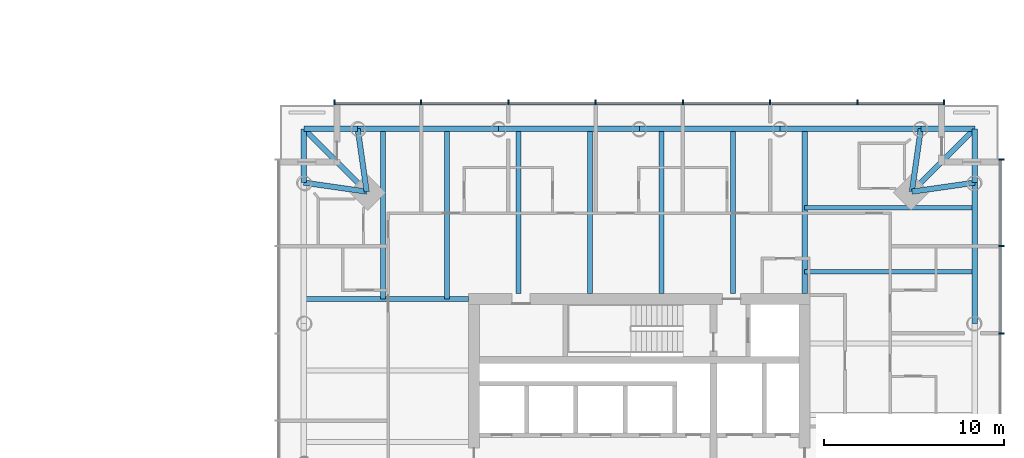
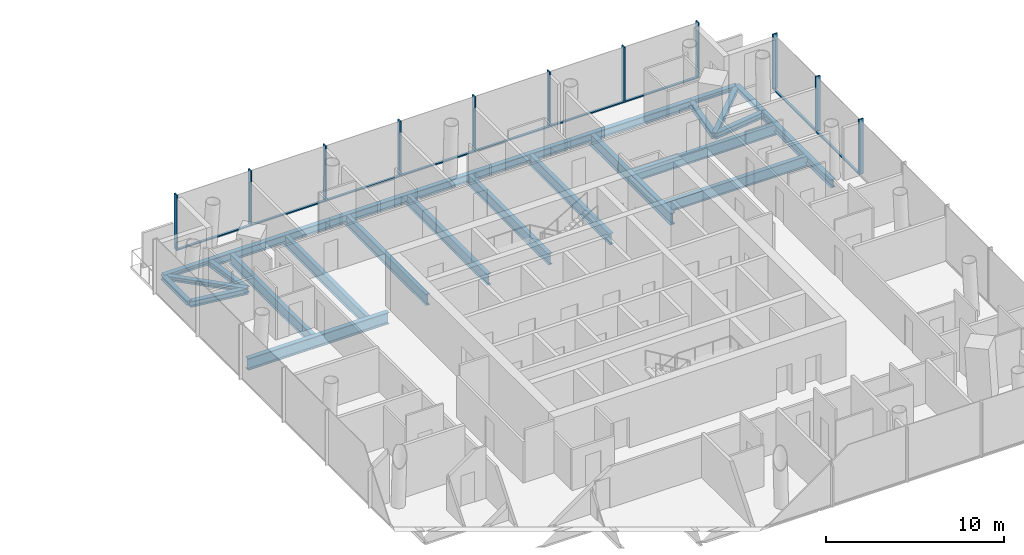
# One storey, part 6 of 20: 25 beams, 20 members, 2 elements without a shape of their own.
"""IFC4 building model written with IfcOpenShell, lengths in metres."""

from ifc_helpers import new_model, si_unit, direction, frame, origin, origin_2d, place, context, subcontext, project, spatial, rectangle, i_section, extrude, material, material_profile, profile_set, type_object, element, aggregate, save


model = new_model("IFC4")

# Units and contexts
model_context = context("Model", 3, precision=1e-05, world=origin(), true_north=direction((0.0, 1.0)))
body_context = subcontext(model_context, "Body", "Model", "MODEL_VIEW")
ifc_project = project(units=[si_unit("LENGTHUNIT", "METRE"), si_unit("AREAUNIT", "SQUARE_METRE"), si_unit("VOLUMEUNIT", "CUBIC_METRE"), si_unit("PLANEANGLEUNIT", "RADIAN"), si_unit("MASSUNIT", "GRAM", prefix="KILO")], contexts=[model_context])

# Site, building, storey
site_placement = place(None, origin())
site = spatial("IfcSite", under=ifc_project, at=site_placement, CompositionType="ELEMENT")
building_placement = place(site_placement, origin())
building = spatial("IfcBuilding", under=site, at=building_placement, Name="Ostroluk Exchange", CompositionType="ELEMENT")
storey_placement = place(building_placement, frame((0.0, 0.0, 28.60009765625)))
storey = spatial("IfcBuildingStorey", under=building, at=storey_placement, Name="L06", CompositionType="ELEMENT", Elevation=28.60009765625)

# Beams
ifc_material_1 = material(Name="Steel S355", Category="steel")
ifc_material_profile_1 = material_profile(ifc_material_1, i_section(OverallWidth=0.300048828125, OverallDepth=0.300048828125, WebThickness=0.010986328125, FlangeThickness=0.01904296875, FilletRadius=0.027099609375, at=origin_2d()), Name="HEB 300")
ifc_profile_set_1 = profile_set([ifc_material_profile_1], Name="Steel S355")
beam_type_1 = type_object("IfcBeamType", Name="Balcony beam HEB 300", PredefinedType="BEAM", material=ifc_profile_set_1)
for number, where, z_axis, x_axis, name in (
    (1, (135.67236328125, 61.67236328125, -0.35009765625), (0.0, 1.0, 0.0), (-1.0, 0.0, 0.0), "T2 east balcony beam a"),
    (2, (132.67236328125, 64.67236328125, -0.35009765625), (1.0, 0.0, 0.0), (0.0, 1.0, 0.0), "T2 east balcony beam b"),
):
    element("IfcBeam", number, at=place(storey_placement, frame(where, z_axis=z_axis, x_axis=x_axis)), inside=storey, type_object=beam_type_1, Name=name, PredefinedType="BEAM", context=body_context, shape_type="SweptSolid", body=[
        extrude(i_section(OverallWidth=0.300048828125, OverallDepth=0.300048828125, WebThickness=0.010986328125, FlangeThickness=0.01904296875, FilletRadius=0.027099609375, at=origin_2d()), origin(), (0.0, 0.0, 1.0), 3.0),
    ])
beam_1_placement = place(storey_placement, frame((132.17236328125, 61.17236328125, -0.35009765625), z_axis=(0.707106781187, 0.707106781187, 0.0), x_axis=(-0.707106781187, 0.707106781187, 0.0)))
element("IfcBeam", 3, at=beam_1_placement, inside=storey, type_object=beam_type_1, Name="T2 east balcony beam c", PredefinedType="BEAM", context=body_context, shape_type="SweptSolid", body=[
    extrude(i_section(OverallWidth=0.300048828125, OverallDepth=0.300048828125, WebThickness=0.010986328125, FlangeThickness=0.01904296875, FilletRadius=0.027099609375, at=origin_2d()), origin(), (0.0, 0.0, 1.0), 4.94970703125),
])
for number, where, z_axis, x_axis, name in (
    (4, (101.32763671875, 64.67236328125, -0.35009765625), (-1.0, 0.0, 0.0), (0.0, -1.0, 0.0), "T2 north balcony beam a"),
    (5, (98.32763671875, 61.67236328125, -0.35009765625), (0.0, 1.0, 0.0), (-1.0, 0.0, 0.0), "T2 north balcony beam b"),
):
    element("IfcBeam", number, at=place(storey_placement, frame(where, z_axis=z_axis, x_axis=x_axis)), inside=storey, type_object=beam_type_1, Name=name, PredefinedType="BEAM", context=body_context, shape_type="SweptSolid", body=[
        extrude(i_section(OverallWidth=0.300048828125, OverallDepth=0.300048828125, WebThickness=0.010986328125, FlangeThickness=0.01904296875, FilletRadius=0.027099609375, at=origin_2d()), origin(), (0.0, 0.0, 1.0), 3.0),
    ])
beam_2_placement = place(storey_placement, frame((101.82763671875, 61.17236328125, -0.35009765625), z_axis=(-0.707106781187, 0.707106781187, 0.0), x_axis=(-0.707106781187, -0.707106781187, 0.0)))
element("IfcBeam", 6, at=beam_2_placement, inside=storey, type_object=beam_type_1, Name="T2 north balcony beam c", PredefinedType="BEAM", context=body_context, shape_type="SweptSolid", body=[
    extrude(i_section(OverallWidth=0.300048828125, OverallDepth=0.300048828125, WebThickness=0.010986328125, FlangeThickness=0.01904296875, FilletRadius=0.027099609375, at=origin_2d()), origin(), (0.0, 0.0, 1.0), 4.94970703125),
])
ifc_material_2 = material(Name="Steel S355", Category="steel")
ifc_material_profile_2 = material_profile(ifc_material_2, i_section(OverallWidth=0.300048828125, OverallDepth=0.39990234375, WebThickness=0.013427734375, FlangeThickness=0.02392578125, FilletRadius=0.027099609375, at=origin_2d()), Name="HEB 400")
ifc_profile_set_2 = profile_set([ifc_material_profile_2], Name="Steel S355")
beam_type_2 = type_object("IfcBeamType", Name="Corner edge beam HEB 400", PredefinedType="SPANDREL", material=ifc_profile_set_2)
for number, where, z_axis, x_axis, name in (
    (7, (132.17236328125, 61.17236328125, -0.400146484375), (0.989949493661, 0.141421356237, 0.0), (-0.141421356237, 0.989949493661, 0.0), "T2 east corner edge beam a"),
    (8, (132.17236328125, 61.17236328125, -0.400146484375), (0.141421356237, 0.989949493661, 0.0), (-0.989949493661, 0.141421356237, 0.0), "T2 east corner edge beam b"),
    (9, (101.82763671875, 61.17236328125, -0.400146484375), (-0.141421356237, 0.989949493661, 0.0), (-0.989949493661, -0.141421356237, 0.0), "T2 north corner edge beam a"),
    (10, (101.82763671875, 61.17236328125, -0.400146484375), (-0.989949493661, 0.141421356237, 0.0), (-0.141421356237, -0.989949493661, 0.0), "T2 north corner edge beam b"),
):
    element("IfcBeam", number, at=place(storey_placement, frame(where, z_axis=z_axis, x_axis=x_axis)), inside=storey, type_object=beam_type_2, Name=name, PredefinedType="SPANDREL", context=body_context, shape_type="SweptSolid", body=[
        extrude(i_section(OverallWidth=0.300048828125, OverallDepth=0.39990234375, WebThickness=0.013427734375, FlangeThickness=0.02392578125, FilletRadius=0.027099609375, at=origin_2d()), origin(), (0.0, 0.0, 1.0), 3.53564453125),
    ])
ifc_material_3 = material(Name="Steel S355", Category="steel")
ifc_material_profile_3 = material_profile(ifc_material_3, i_section(OverallWidth=0.264892578125, OverallDepth=0.7529296875, WebThickness=0.01318359375, FlangeThickness=0.01708984375, FilletRadius=0.01708984375, at=origin_2d()), Name="IPE 750x147")
ifc_profile_set_3 = profile_set([ifc_material_profile_3], Name="Steel S355")
beam_type_3 = type_object("IfcBeamType", Name="Floor beam IPE 750x147", PredefinedType="BEAM", material=ifc_profile_set_3)
for number, where, z_axis, x_axis, name in (
    (11, (126.199951171875, 56.708984375, -0.57666015625), (1.0, 0.0, 0.0), (0.0, 1.0, 0.0), "T2 east floor beam 5"),
    (12, (126.199951171875, 60.2724609375, -0.57666015625), (1.0, 0.0, 0.0), (0.0, 1.0, 0.0), "T2 east floor beam 6"),
):
    element("IfcBeam", number, at=place(storey_placement, frame(where, z_axis=z_axis, x_axis=x_axis)), inside=storey, type_object=beam_type_3, Name=name, PredefinedType="BEAM", context=body_context, shape_type="SweptSolid", body=[
        extrude(i_section(OverallWidth=0.264892578125, OverallDepth=0.7529296875, WebThickness=0.01318359375, FlangeThickness=0.01708984375, FilletRadius=0.01708984375, at=origin_2d()), origin(), (0.0, 0.0, 1.0), 9.472412109375),
    ])
for number, where, z_axis, x_axis, name in (
    (13, (122.21826171875, 55.5, -0.57666015625), (0.0, 1.0, 0.0), (-1.0, 0.0, 0.0), "T2 north floor beam 1"),
    (14, (118.236572265625, 55.5, -0.57666015625), (0.0, 1.0, 0.0), (-1.0, 0.0, 0.0), "T2 north floor beam 2"),
    (15, (114.254638671875, 55.5, -0.57666015625), (0.0, 1.0, 0.0), (-1.0, 0.0, 0.0), "T2 north floor beam 3"),
    (16, (110.27294921875, 55.5, -0.57666015625), (0.0, 1.0, 0.0), (-1.0, 0.0, 0.0), "T2 north floor beam 4"),
):
    element("IfcBeam", number, at=place(storey_placement, frame(where, z_axis=z_axis, x_axis=x_axis)), inside=storey, type_object=beam_type_3, Name=name, PredefinedType="BEAM", context=body_context, shape_type="SweptSolid", body=[
        extrude(i_section(OverallWidth=0.264892578125, OverallDepth=0.7529296875, WebThickness=0.01318359375, FlangeThickness=0.01708984375, FilletRadius=0.01708984375, at=origin_2d()), origin(), (0.0, 0.0, 1.0), 9.17236328125),
    ])
for number, where, z_axis, x_axis, name in (
    (17, (106.291015625, 55.199951171875, -0.57666015625), (0.0, 1.0, 0.0), (-1.0, 0.0, 0.0), "T2 north floor beam 5"),
    (18, (102.7275390625, 55.199951171875, -0.57666015625), (0.0, 1.0, 0.0), (-1.0, 0.0, 0.0), "T2 north floor beam 6"),
):
    element("IfcBeam", number, at=place(storey_placement, frame(where, z_axis=z_axis, x_axis=x_axis)), inside=storey, type_object=beam_type_3, Name=name, PredefinedType="BEAM", context=body_context, shape_type="SweptSolid", body=[
        extrude(i_section(OverallWidth=0.264892578125, OverallDepth=0.7529296875, WebThickness=0.01318359375, FlangeThickness=0.01708984375, FilletRadius=0.01708984375, at=origin_2d()), origin(), (0.0, 0.0, 1.0), 9.472412109375),
    ])
ifc_material_4 = material(Name="Steel S355", Category="steel")
ifc_material_profile_4 = material_profile(ifc_material_4, i_section(OverallWidth=0.300048828125, OverallDepth=0.800048828125, WebThickness=0.017578125, FlangeThickness=0.032958984375, FilletRadius=0.030029296875, at=origin_2d()), Name="HEB 800")
ifc_profile_set_4 = profile_set([ifc_material_profile_4], Name="Steel S355")
beam_type_4 = type_object("IfcBeamType", Name="Girder HEB 800", PredefinedType="BEAM", material=ifc_profile_set_4)
for number, where, z_axis, x_axis, name in (
    (19, (126.199951171875, 55.5, -0.60009765625), (0.0, 1.0, 0.0), (-1.0, 0.0, 0.0), "T2 east girder"),
    (20, (107.5, 55.199951171875, -0.60009765625), (-1.0, 0.0, 0.0), (0.0, -1.0, 0.0), "T2 north girder"),
):
    element("IfcBeam", number, at=place(storey_placement, frame(where, z_axis=z_axis, x_axis=x_axis)), inside=storey, type_object=beam_type_4, Name=name, PredefinedType="BEAM", context=body_context, shape_type="SweptSolid", body=[
        extrude(i_section(OverallWidth=0.300048828125, OverallDepth=0.800048828125, WebThickness=0.017578125, FlangeThickness=0.032958984375, FilletRadius=0.030029296875, at=origin_2d()), origin(), (0.0, 0.0, 1.0), 9.17236328125),
    ])
ifc_material_5 = material(Name="Steel S355", Category="steel")
ifc_material_profile_5 = material_profile(ifc_material_5, i_section(OverallWidth=0.300048828125, OverallDepth=0.550048828125, WebThickness=0.014892578125, FlangeThickness=0.029052734375, FilletRadius=0.027099609375, at=origin_2d()), Name="HEB 550")
ifc_profile_set_5 = profile_set([ifc_material_profile_5], Name="Steel S355")
beam_type_5 = type_object("IfcBeamType", Name="Moment-connected edge beam HEB 550", PredefinedType="SPANDREL", material=ifc_profile_set_5)
for number, where, z_axis, x_axis, name in (
    (21, (135.67236328125, 53.836181640625, -0.47509765625), (0.0, 1.0, 0.0), (-1.0, 0.0, 0.0), "T2 east edge beam 4"),
    (22, (132.67236328125, 64.67236328125, -0.47509765625), (-1.0, 0.0, 0.0), (0.0, -1.0, 0.0), "T2 north edge beam 1"),
    (23, (124.836181640625, 64.67236328125, -0.47509765625), (-1.0, 0.0, 0.0), (0.0, -1.0, 0.0), "T2 north edge beam 2"),
    (24, (117.0, 64.67236328125, -0.47509765625), (-1.0, 0.0, 0.0), (0.0, -1.0, 0.0), "T2 north edge beam 3"),
    (25, (109.163818359375, 64.67236328125, -0.47509765625), (-1.0, 0.0, 0.0), (0.0, -1.0, 0.0), "T2 north edge beam 4"),
):
    element("IfcBeam", number, at=place(storey_placement, frame(where, z_axis=z_axis, x_axis=x_axis)), inside=storey, type_object=beam_type_5, Name=name, PredefinedType="SPANDREL", context=body_context, shape_type="SweptSolid", body=[
        extrude(i_section(OverallWidth=0.300048828125, OverallDepth=0.550048828125, WebThickness=0.014892578125, FlangeThickness=0.029052734375, FilletRadius=0.027099609375, at=origin_2d()), origin(), (0.0, 0.0, 1.0), 7.836181640625),
    ])

# Curtain wall, members
ifc_material_6 = material(Name="Laminated clear glass", Category="glass")
curtain_wall_type = type_object("IfcCurtainWallType", Name="Hotel guest floor facade", PredefinedType="USERDEFINED", material=ifc_material_6)
curtain_wall_1_placement = place(storey_placement, origin())
curtain_wall_1 = element("IfcCurtainWall", 26, at=curtain_wall_1_placement, inside=storey, type_object=curtain_wall_type, Name="Hotel tower east facade L06", ObjectType="UNITISED CURTAIN WALL", PredefinedType="USERDEFINED")
ifc_material_7 = material(Name="Aluminium mullion", Category="aluminium")
ifc_material_profile_6 = material_profile(ifc_material_7, rectangle(XDim=0.14990234375, YDim=0.080078125, at=origin_2d()), Name="Sill transom 80 x 150")
ifc_profile_set_6 = profile_set([ifc_material_profile_6], Name="Aluminium mullion")
member_type_1 = type_object("IfcMemberType", Name="Sill transom 80 x 150", PredefinedType="USERDEFINED", material=ifc_profile_set_6)
member_1_placement = place(storey_placement, frame((137.074951171875, 53.32568359375, 0.039794921875), z_axis=(0.0, 1.0, 0.0), x_axis=(-1.0, 0.0, 0.0)))
member_1 = element("IfcMember", 27, at=member_1_placement, type_object=member_type_1, Name="CW-H1 transom 6.1", ObjectType="TRANSOM", PredefinedType="USERDEFINED", context=body_context, shape_type="SweptSolid", body=[
    extrude(rectangle(XDim=0.14990234375, YDim=0.080078125, at=origin_2d()), origin(), (0.0, 0.0, 1.0), 4.777099609375),
])
member_2_placement = place(storey_placement, frame((137.074951171875, 58.182861328125, 0.039794921875), z_axis=(0.0, 1.0, 0.0), x_axis=(-1.0, 0.0, 0.0)))
member_2 = element("IfcMember", 28, at=member_2_placement, type_object=member_type_1, Name="CW-H1 transom 7.1", ObjectType="TRANSOM", PredefinedType="USERDEFINED", context=body_context, shape_type="SweptSolid", body=[
    extrude(rectangle(XDim=0.14990234375, YDim=0.080078125, at=origin_2d()), origin(), (0.0, 0.0, 1.0), 4.737060546875),
])

curtain_wall_2_placement = place(storey_placement, origin())
curtain_wall_2 = element("IfcCurtainWall", 29, at=curtain_wall_2_placement, inside=storey, type_object=curtain_wall_type, Name="Hotel tower north facade L06", ObjectType="UNITISED CURTAIN WALL", PredefinedType="USERDEFINED")
member_3_placement = place(storey_placement, frame((133.919921875, 66.074951171875, 0.039794921875), z_axis=(-1.0, 0.0, 0.0), x_axis=(0.0, -1.0, 0.0)))
member_3 = element("IfcMember", 30, at=member_3_placement, type_object=member_type_1, Name="CW-H1 transom 1.1", ObjectType="TRANSOM", PredefinedType="USERDEFINED", context=body_context, shape_type="SweptSolid", body=[
    extrude(rectangle(XDim=0.14990234375, YDim=0.080078125, at=origin_2d()), origin(), (0.0, 0.0, 1.0), 4.737060546875),
])
member_4_placement = place(storey_placement, frame((129.102783203125, 66.074951171875, 0.039794921875), z_axis=(-1.0, 0.0, 0.0), x_axis=(0.0, -1.0, 0.0)))
member_4 = element("IfcMember", 31, at=member_4_placement, type_object=member_type_1, Name="CW-H1 transom 2.1", ObjectType="TRANSOM", PredefinedType="USERDEFINED", context=body_context, shape_type="SweptSolid", body=[
    extrude(rectangle(XDim=0.14990234375, YDim=0.080078125, at=origin_2d()), origin(), (0.0, 0.0, 1.0), 4.777099609375),
])
member_5_placement = place(storey_placement, frame((124.24560546875, 66.074951171875, 0.039794921875), z_axis=(-1.0, 0.0, 0.0), x_axis=(0.0, -1.0, 0.0)))
member_5 = element("IfcMember", 32, at=member_5_placement, type_object=member_type_1, Name="CW-H1 transom 3.1", ObjectType="TRANSOM", PredefinedType="USERDEFINED", context=body_context, shape_type="SweptSolid", body=[
    extrude(rectangle(XDim=0.14990234375, YDim=0.080078125, at=origin_2d()), origin(), (0.0, 0.0, 1.0), 4.777099609375),
])
member_6_placement = place(storey_placement, frame((119.388671875, 66.074951171875, 0.039794921875), z_axis=(-1.0, 0.0, 0.0), x_axis=(0.0, -1.0, 0.0)))
member_6 = element("IfcMember", 33, at=member_6_placement, type_object=member_type_1, Name="CW-H1 transom 4.1", ObjectType="TRANSOM", PredefinedType="USERDEFINED", context=body_context, shape_type="SweptSolid", body=[
    extrude(rectangle(XDim=0.14990234375, YDim=0.080078125, at=origin_2d()), origin(), (0.0, 0.0, 1.0), 4.77734375),
])
member_7_placement = place(storey_placement, frame((114.531494140625, 66.074951171875, 0.039794921875), z_axis=(-1.0, 0.0, 0.0), x_axis=(0.0, -1.0, 0.0)))
member_7 = element("IfcMember", 34, at=member_7_placement, type_object=member_type_1, Name="CW-H1 transom 5.1", ObjectType="TRANSOM", PredefinedType="USERDEFINED", context=body_context, shape_type="SweptSolid", body=[
    extrude(rectangle(XDim=0.14990234375, YDim=0.080078125, at=origin_2d()), origin(), (0.0, 0.0, 1.0), 4.777099609375),
])
member_8_placement = place(storey_placement, frame((109.67431640625, 66.074951171875, 0.039794921875), z_axis=(-1.0, 0.0, 0.0), x_axis=(0.0, -1.0, 0.0)))
member_8 = element("IfcMember", 35, at=member_8_placement, type_object=member_type_1, Name="CW-H1 transom 6.1", ObjectType="TRANSOM", PredefinedType="USERDEFINED", context=body_context, shape_type="SweptSolid", body=[
    extrude(rectangle(XDim=0.14990234375, YDim=0.080078125, at=origin_2d()), origin(), (0.0, 0.0, 1.0), 4.777099609375),
])
member_9_placement = place(storey_placement, frame((104.817138671875, 66.074951171875, 0.039794921875), z_axis=(-1.0, 0.0, 0.0), x_axis=(0.0, -1.0, 0.0)))
member_9 = element("IfcMember", 36, at=member_9_placement, type_object=member_type_1, Name="CW-H1 transom 7.1", ObjectType="TRANSOM", PredefinedType="USERDEFINED", context=body_context, shape_type="SweptSolid", body=[
    extrude(rectangle(XDim=0.14990234375, YDim=0.080078125, at=origin_2d()), origin(), (0.0, 0.0, 1.0), 4.737060546875),
])

# Member
ifc_material_8 = material(Name="Aluminium mullion with limestone facing", Category="masonry")
ifc_material_profile_7 = material_profile(ifc_material_8, rectangle(XDim=0.300048828125, YDim=0.080078125, at=origin_2d()), Name="Tracery mullion 80 x 300")
ifc_profile_set_7 = profile_set([ifc_material_profile_7], Name="Aluminium mullion with limestone facing")
member_type_2 = type_object("IfcMemberType", Name="Tracery mullion 80 x 300", PredefinedType="MULLION", material=ifc_profile_set_7)
member_10_placement = place(storey_placement, frame((137.14990234375, 53.28564453125, 0.0), z_axis=(0.0, 0.0, 1.0), x_axis=(-1.0, 0.0, 0.0)))
member_10 = element("IfcMember", 37, at=member_10_placement, type_object=member_type_2, Name="CW-H1 mullion 6", PredefinedType="MULLION", context=body_context, shape_type="SweptSolid", body=[
    extrude(rectangle(XDim=0.300048828125, YDim=0.080078125, at=origin_2d()), origin(), (0.0, 0.0, 1.0), 3.7998046875),
])

member_11_placement = place(storey_placement, frame((137.14990234375, 58.142822265625, 0.0), z_axis=(0.0, 0.0, 1.0), x_axis=(-1.0, 0.0, 0.0)))
member_11 = element("IfcMember", 38, at=member_11_placement, type_object=member_type_2, Name="CW-H1 mullion 7", PredefinedType="MULLION", context=body_context, shape_type="SweptSolid", body=[
    extrude(rectangle(XDim=0.300048828125, YDim=0.080078125, at=origin_2d()), origin(), (0.0, 0.0, 1.0), 3.7998046875),
])

member_12_placement = place(storey_placement, frame((137.14990234375, 62.9599609375, 0.0), z_axis=(0.0, 0.0, 1.0), x_axis=(-1.0, 0.0, 0.0)))
member_12 = element("IfcMember", 39, at=member_12_placement, type_object=member_type_2, Name="CW-H1 mullion 8", PredefinedType="MULLION", context=body_context, shape_type="SweptSolid", body=[
    extrude(rectangle(XDim=0.300048828125, YDim=0.080078125, at=origin_2d()), origin(), (0.0, 0.0, 1.0), 3.7998046875),
])

aggregate(curtain_wall_1, [member_10, member_11, member_12, member_1, member_2])

member_13_placement = place(storey_placement, frame((133.9599609375, 66.14990234375, 0.0), z_axis=(0.0, 0.0, 1.0), x_axis=(0.0, -1.0, 0.0)))
member_13 = element("IfcMember", 40, at=member_13_placement, type_object=member_type_2, Name="CW-H1 mullion 1", PredefinedType="MULLION", context=body_context, shape_type="SweptSolid", body=[
    extrude(rectangle(XDim=0.300048828125, YDim=0.080078125, at=origin_2d()), origin(), (0.0, 0.0, 1.0), 3.7998046875),
])

member_14_placement = place(storey_placement, frame((129.142822265625, 66.14990234375, 0.0), z_axis=(0.0, 0.0, 1.0), x_axis=(0.0, -1.0, 0.0)))
member_14 = element("IfcMember", 41, at=member_14_placement, type_object=member_type_2, Name="CW-H1 mullion 2", PredefinedType="MULLION", context=body_context, shape_type="SweptSolid", body=[
    extrude(rectangle(XDim=0.300048828125, YDim=0.080078125, at=origin_2d()), origin(), (0.0, 0.0, 1.0), 3.7998046875),
])

member_15_placement = place(storey_placement, frame((124.28564453125, 66.14990234375, 0.0), z_axis=(0.0, 0.0, 1.0), x_axis=(0.0, -1.0, 0.0)))
member_15 = element("IfcMember", 42, at=member_15_placement, type_object=member_type_2, Name="CW-H1 mullion 3", PredefinedType="MULLION", context=body_context, shape_type="SweptSolid", body=[
    extrude(rectangle(XDim=0.300048828125, YDim=0.080078125, at=origin_2d()), origin(), (0.0, 0.0, 1.0), 3.7998046875),
])

member_16_placement = place(storey_placement, frame((119.428466796875, 66.14990234375, 0.0), z_axis=(0.0, 0.0, 1.0), x_axis=(0.0, -1.0, 0.0)))
member_16 = element("IfcMember", 43, at=member_16_placement, type_object=member_type_2, Name="CW-H1 mullion 4", PredefinedType="MULLION", context=body_context, shape_type="SweptSolid", body=[
    extrude(rectangle(XDim=0.300048828125, YDim=0.080078125, at=origin_2d()), origin(), (0.0, 0.0, 1.0), 3.7998046875),
])

member_17_placement = place(storey_placement, frame((114.571533203125, 66.14990234375, 0.0), z_axis=(0.0, 0.0, 1.0), x_axis=(0.0, -1.0, 0.0)))
member_17 = element("IfcMember", 44, at=member_17_placement, type_object=member_type_2, Name="CW-H1 mullion 5", PredefinedType="MULLION", context=body_context, shape_type="SweptSolid", body=[
    extrude(rectangle(XDim=0.300048828125, YDim=0.080078125, at=origin_2d()), origin(), (0.0, 0.0, 1.0), 3.7998046875),
])

member_18_placement = place(storey_placement, frame((109.71435546875, 66.14990234375, 0.0), z_axis=(0.0, 0.0, 1.0), x_axis=(0.0, -1.0, 0.0)))
member_18 = element("IfcMember", 45, at=member_18_placement, type_object=member_type_2, Name="CW-H1 mullion 6", PredefinedType="MULLION", context=body_context, shape_type="SweptSolid", body=[
    extrude(rectangle(XDim=0.300048828125, YDim=0.080078125, at=origin_2d()), origin(), (0.0, 0.0, 1.0), 3.7998046875),
])

member_19_placement = place(storey_placement, frame((104.857177734375, 66.14990234375, 0.0), z_axis=(0.0, 0.0, 1.0), x_axis=(0.0, -1.0, 0.0)))
member_19 = element("IfcMember", 46, at=member_19_placement, type_object=member_type_2, Name="CW-H1 mullion 7", PredefinedType="MULLION", context=body_context, shape_type="SweptSolid", body=[
    extrude(rectangle(XDim=0.300048828125, YDim=0.080078125, at=origin_2d()), origin(), (0.0, 0.0, 1.0), 3.7998046875),
])

member_20_placement = place(storey_placement, frame((100.0400390625, 66.14990234375, 0.0), z_axis=(0.0, 0.0, 1.0), x_axis=(0.0, -1.0, 0.0)))
member_20 = element("IfcMember", 47, at=member_20_placement, type_object=member_type_2, Name="CW-H1 mullion 8", PredefinedType="MULLION", context=body_context, shape_type="SweptSolid", body=[
    extrude(rectangle(XDim=0.300048828125, YDim=0.080078125, at=origin_2d()), origin(), (0.0, 0.0, 1.0), 3.7998046875),
])

aggregate(curtain_wall_2, [member_13, member_14, member_15, member_16, member_17, member_18, member_19, member_20, member_3, member_4, member_5, member_6, member_7, member_8, member_9])

save(model, "model.ifc")
